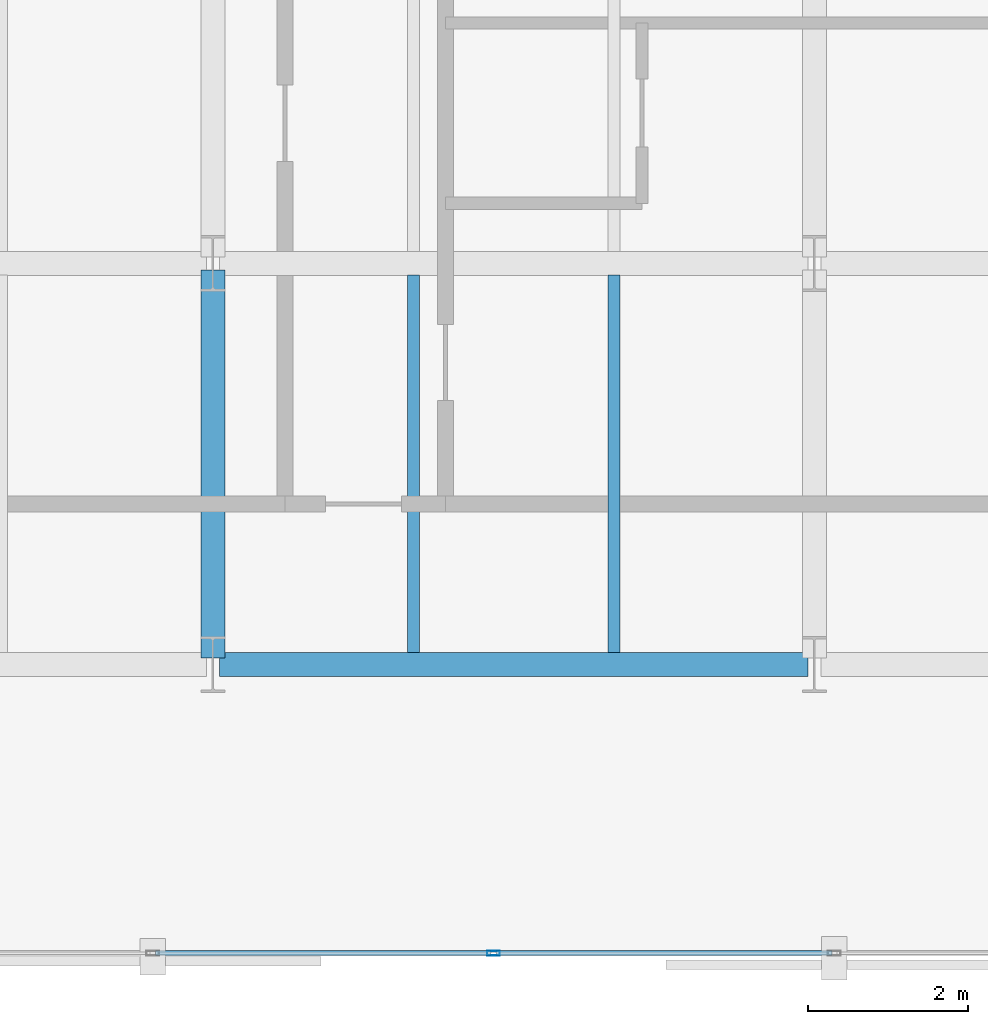
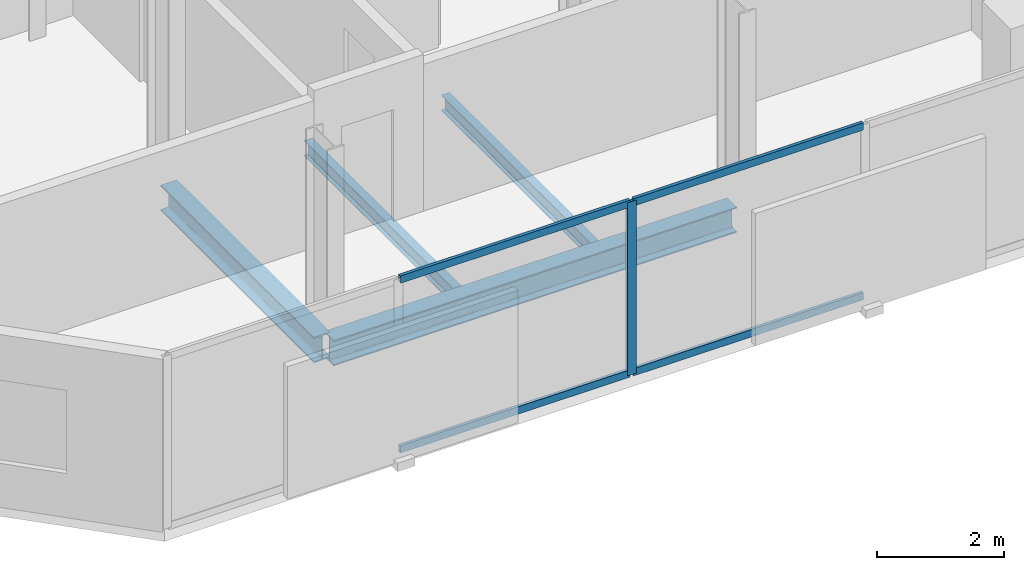
# One storey, part 4 of 35: 5 members, 4 beams, 1 element without a shape of its own.
"""IFC4 building model written with IfcOpenShell, lengths in metres."""

from ifc_helpers import new_model, si_unit, direction, frame, origin, origin_2d, place, context, subcontext, project, spatial, hollow_rectangle, i_section, extrude, material, layer, layer_set, material_profile, profile_set, type_object, element, aggregate, save


model = new_model("IFC4")

# Units and contexts
model_context = context("Model", 3, precision=1e-05, world=origin(), true_north=direction((0.0, 1.0)))
body_context = subcontext(model_context, "Body", "Model", "MODEL_VIEW")
ifc_project = project(units=[si_unit("LENGTHUNIT", "METRE"), si_unit("AREAUNIT", "SQUARE_METRE"), si_unit("VOLUMEUNIT", "CUBIC_METRE"), si_unit("PLANEANGLEUNIT", "RADIAN"), si_unit("MASSUNIT", "GRAM", prefix="KILO")], contexts=[model_context])

# Site, building, storey
site_placement = place(None, origin())
site = spatial("IfcSite", under=ifc_project, at=site_placement, CompositionType="ELEMENT")
building_placement = place(site_placement, origin())
building = spatial("IfcBuilding", under=site, at=building_placement, Name="Catumbela Crestline Tower", CompositionType="ELEMENT")
storey_placement = place(building_placement, frame((0.0, 0.0, 90.0)))
storey = spatial("IfcBuildingStorey", under=building, at=storey_placement, Name="L22", CompositionType="ELEMENT", Elevation=90.0)

# Beams
ifc_material_1 = material(Name="Structural steel S355J2", Category="steel")
ifc_material_profile_1 = material_profile(ifc_material_1, i_section(OverallWidth=0.3, OverallDepth=0.49, WebThickness=0.012, FlangeThickness=0.023, FilletRadius=0.027, at=origin_2d()), Name="HEA 500")
ifc_profile_set_1 = profile_set([ifc_material_profile_1], Name="Structural steel S355J2")
beam_type_1 = type_object("IfcBeamType", Name="BG-HEA500", PredefinedType="BEAM", material=ifc_profile_set_1)
beam_1_placement = place(storey_placement, frame((8.58, 8.6, -0.505), z_axis=(1.0, 0.0, 0.0), x_axis=(0.0, 1.0, 0.0)))
element("IfcBeam", 1, at=beam_1_placement, inside=storey, type_object=beam_type_1, Name="L22 Beam BM-L22-WEW44", PredefinedType="BEAM", context=body_context, shape_type="SweptSolid", body=[
    extrude(i_section(OverallWidth=0.3, OverallDepth=0.49, WebThickness=0.012, FlangeThickness=0.023, FilletRadius=0.027, at=origin_2d()), origin(), (0.0, 0.0, 1.0), 7.34),
])
beam_2_placement = place(storey_placement, frame((8.5, 8.68, -0.505), z_axis=(0.0, 1.0, 0.0), x_axis=(-1.0, 0.0, 0.0)))
element("IfcBeam", 2, at=beam_2_placement, inside=storey, type_object=beam_type_1, Name="L22 Beam BM-L22-WNS55", PredefinedType="BEAM", context=body_context, shape_type="SweptSolid", body=[
    extrude(i_section(OverallWidth=0.3, OverallDepth=0.49, WebThickness=0.012, FlangeThickness=0.023, FilletRadius=0.027, at=origin_2d()), origin(), (0.0, 0.0, 1.0), 4.84),
])
ifc_material_profile_2 = material_profile(ifc_material_1, i_section(OverallWidth=0.15, OverallDepth=0.3, WebThickness=0.0071, FlangeThickness=0.0107, FilletRadius=0.015, at=origin_2d()), Name="IPE 300")
ifc_profile_set_2 = profile_set([ifc_material_profile_2], Name="Structural steel S355J2")
beam_type_2 = type_object("IfcBeamType", Name="BJ-IPE300", PredefinedType="JOIST", material=ifc_profile_set_2)
for number, where, z_axis, x_axis, name in (
    (3, (11.0, 8.747, -0.41), (0.0, 1.0, 0.0), (-1.0, 0.0, 0.0), "L22 Joist JS-L22-WG65"),
    (4, (13.5, 8.747, -0.41), (0.0, 1.0, 0.0), (-1.0, 0.0, 0.0), "L22 Joist JS-L22-WG66"),
):
    element("IfcBeam", number, at=place(storey_placement, frame(where, z_axis=z_axis, x_axis=x_axis)), inside=storey, type_object=beam_type_2, Name=name, PredefinedType="JOIST", context=body_context, shape_type="SweptSolid", body=[
        extrude(i_section(OverallWidth=0.15, OverallDepth=0.3, WebThickness=0.0071, FlangeThickness=0.0107, FilletRadius=0.015, at=origin_2d()), origin(), (0.0, 0.0, 1.0), 4.706),
    ])

# Curtain wall, members
ifc_material_2 = material(Name="Aluminium alloy AW-6060-T66", Category="aluminium")
ifc_layer = layer(ifc_material_2, 0.18, Name="Aluminium alloy AW-6060-T66")
ifc_layer_set = layer_set([ifc_layer], Name="Aluminium alloy AW-6060-T66")
curtain_wall_type = type_object("IfcCurtainWallType", Name="CWU-Z2", PredefinedType="USERDEFINED", material=ifc_layer_set)
curtain_wall_placement = place(storey_placement, origin())
curtain_wall = element("IfcCurtainWall", 5, at=curtain_wall_placement, inside=storey, type_object=curtain_wall_type, Name="L22 Unitised Curtain Wall CW-L22-E0S1", ObjectType="UNITISED", PredefinedType="USERDEFINED")
ifc_material_profile_3 = material_profile(ifc_material_2, hollow_rectangle(XDim=0.06, YDim=0.16, WallThickness=0.004, at=origin_2d()), Name="ALU 160x60x4")
ifc_profile_set_3 = profile_set([ifc_material_profile_3], Name="Aluminium alloy AW-6060-T66")
member_type_1 = type_object("IfcMemberType", Name="MUL-160X60", PredefinedType="MULLION", material=ifc_profile_set_3)
member_1_placement = place(storey_placement, frame((12.0, 5.0, 0.0), z_axis=(0.0, 0.0, 1.0), x_axis=(0.0, 1.0, 0.0)))
member_1 = element("IfcMember", 6, at=member_1_placement, type_object=member_type_1, Name="CWU-Z2 mullion 3", PredefinedType="MULLION", context=body_context, shape_type="SweptSolid", body=[
    extrude(hollow_rectangle(XDim=0.06, YDim=0.16, WallThickness=0.004, at=origin_2d()), origin(), (0.0, 0.0, 1.0), 3.33),
])
ifc_material_profile_4 = material_profile(ifc_material_2, hollow_rectangle(XDim=0.06, YDim=0.14, WallThickness=0.004, at=origin_2d()), Name="ALU 140x60x4")
ifc_profile_set_4 = profile_set([ifc_material_profile_4], Name="Aluminium alloy AW-6060-T66")
member_type_2 = type_object("IfcMemberType", Name="TRN-140X60", PredefinedType="USERDEFINED", material=ifc_profile_set_4)
member_2_placement = place(storey_placement, frame((7.7825, 5.0, 0.03), z_axis=(1.0, 0.0, 0.0), x_axis=(0.0, 1.0, 0.0)))
member_2 = element("IfcMember", 7, at=member_2_placement, type_object=member_type_2, Name="CWU-Z2 transom 2.1", ObjectType="TRANSOM", PredefinedType="USERDEFINED", context=body_context, shape_type="SweptSolid", body=[
    extrude(hollow_rectangle(XDim=0.06, YDim=0.14, WallThickness=0.004, at=origin_2d()), origin(), (0.0, 0.0, 1.0), 4.185),
])
member_3_placement = place(storey_placement, frame((7.7825, 5.0, 3.3), z_axis=(1.0, 0.0, 0.0), x_axis=(0.0, 1.0, 0.0)))
member_3 = element("IfcMember", 8, at=member_3_placement, type_object=member_type_2, Name="CWU-Z2 transom 2.2", ObjectType="TRANSOM", PredefinedType="USERDEFINED", context=body_context, shape_type="SweptSolid", body=[
    extrude(hollow_rectangle(XDim=0.06, YDim=0.14, WallThickness=0.004, at=origin_2d()), origin(), (0.0, 0.0, 1.0), 4.185),
])
member_4_placement = place(storey_placement, frame((12.0325, 5.0, 0.03), z_axis=(1.0, 0.0, 0.0), x_axis=(0.0, 1.0, 0.0)))
member_4 = element("IfcMember", 9, at=member_4_placement, type_object=member_type_2, Name="CWU-Z2 transom 3.1", ObjectType="TRANSOM", PredefinedType="USERDEFINED", context=body_context, shape_type="SweptSolid", body=[
    extrude(hollow_rectangle(XDim=0.06, YDim=0.14, WallThickness=0.004, at=origin_2d()), origin(), (0.0, 0.0, 1.0), 4.185),
])
member_5_placement = place(storey_placement, frame((12.0325, 5.0, 3.3), z_axis=(1.0, 0.0, 0.0), x_axis=(0.0, 1.0, 0.0)))
member_5 = element("IfcMember", 10, at=member_5_placement, type_object=member_type_2, Name="CWU-Z2 transom 3.2", ObjectType="TRANSOM", PredefinedType="USERDEFINED", context=body_context, shape_type="SweptSolid", body=[
    extrude(hollow_rectangle(XDim=0.06, YDim=0.14, WallThickness=0.004, at=origin_2d()), origin(), (0.0, 0.0, 1.0), 4.185),
])
aggregate(curtain_wall, [member_1, member_2, member_3, member_4, member_5])

save(model, "model.ifc")
